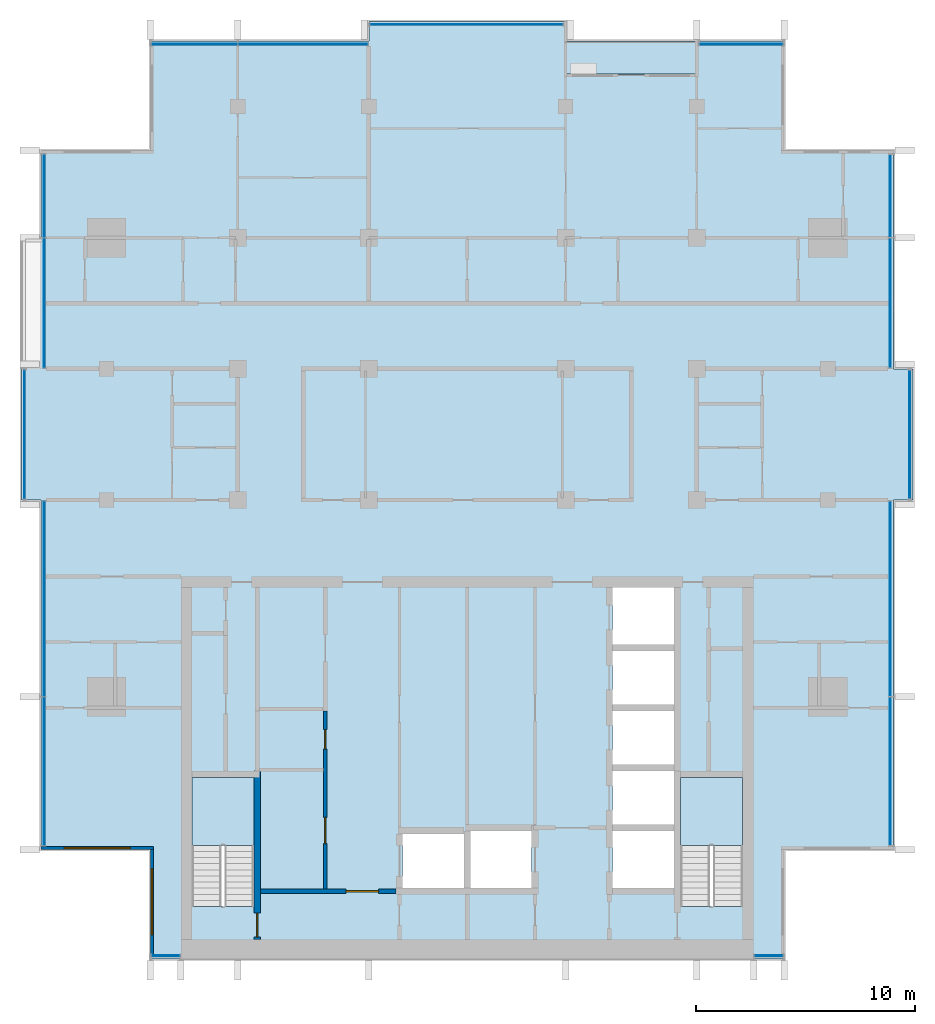
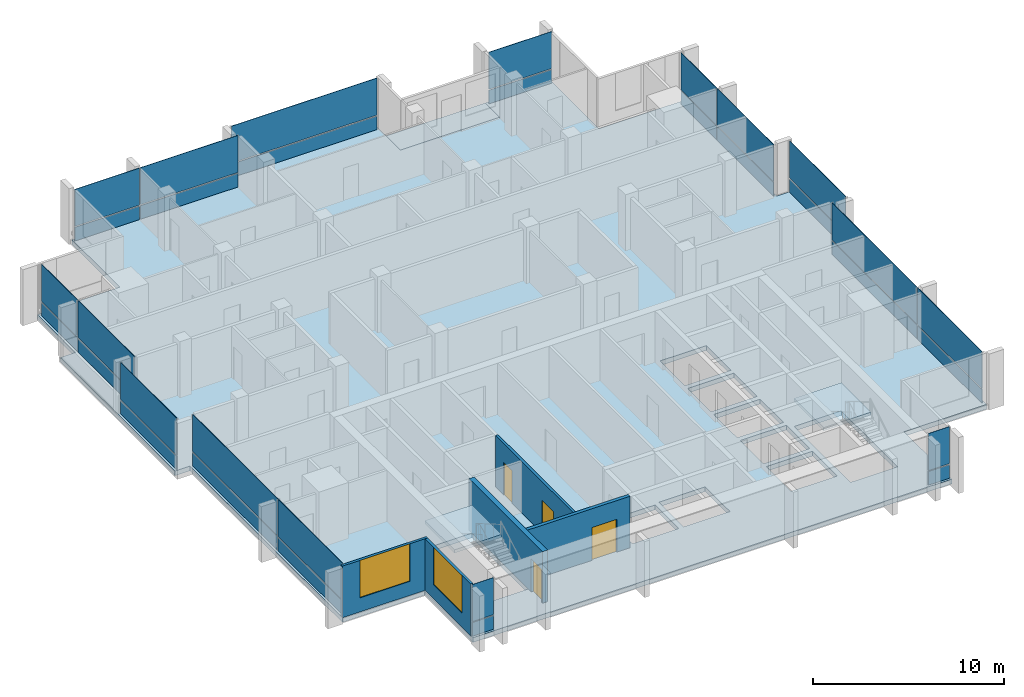
# One storey, part 6 of 16: 32 plates, 5 walls, 4 doors, 4 slabs, 2 windows, 6 openings, 13 elements without a shape of their own.
"""IFC4 building model written with IfcOpenShell, lengths in metres."""

from ifc_helpers import new_model, si_unit, direction, frame, frame_2d, origin, origin_2d, place, context, subcontext, project, spatial, polyline, rectangle, outline, extrude, material, layer, layer_set, type_object, element, fill, aggregate, save


model = new_model("IFC4")

# Units and contexts
model_context = context("Model", 3, precision=1e-05, world=origin(), true_north=direction((0.0, 1.0)))
body_context = subcontext(model_context, "Body", "Model", "MODEL_VIEW")
ifc_project = project(units=[si_unit("LENGTHUNIT", "METRE"), si_unit("AREAUNIT", "SQUARE_METRE"), si_unit("VOLUMEUNIT", "CUBIC_METRE"), si_unit("PLANEANGLEUNIT", "RADIAN"), si_unit("MASSUNIT", "GRAM", prefix="KILO")], contexts=[model_context])

# Site, building, storey
site_placement = place(None, origin())
site = spatial("IfcSite", under=ifc_project, at=site_placement, CompositionType="ELEMENT")
building_placement = place(site_placement, origin())
building = spatial("IfcBuilding", under=site, at=building_placement, Name="Finial Court Residences", CompositionType="ELEMENT")
storey_placement = place(building_placement, frame((0.0, 0.0, 284.300048828125)))
storey = spatial("IfcBuildingStorey", under=building, at=storey_placement, Name="L72", CompositionType="ELEMENT", Elevation=284.300048828125)

# Slab
ifc_material_1 = material(Name="Concrete C35/45", Category="concrete")
ifc_layer_1 = layer(ifc_material_1, 0.199951171875)
ifc_layer_set_1 = layer_set([ifc_layer_1], Name="Balcony slab, Concrete C35/45 200")
slab_type_1 = type_object("IfcSlabType", Name="Balcony slab, Concrete C35/45 200", PredefinedType="FLOOR", material=ifc_layer_set_1)
slab_1_placement = place(storey_placement, frame((0.0, 0.0, -0.199951171875)))
element("IfcSlab", 1, at=slab_1_placement, inside=storey, type_object=slab_type_1, Name="Balcony L72-N4", PredefinedType="FLOOR", context=body_context, shape_type="SweptSolid", body=[
    extrude(outline(polyline([(10.5, 15.0), (10.5, 16.5), (4.5, 16.5), (4.5, 15.0), (10.5, 15.0)])), origin(), (0.0, 0.0, 1.0), 0.199951171875),
])

# Curtain wall, plates
ifc_material_2 = material(Name="Bronze anodised aluminium", Category="aluminium")
curtain_wall_type = type_object("IfcCurtainWallType", Name="Unitised curtain wall, upper zones", PredefinedType="NOTDEFINED", material=ifc_material_2)
curtain_wall_1_placement = place(storey_placement, origin())
curtain_wall_1 = element("IfcCurtainWall", 2, at=curtain_wall_1_placement, inside=storey, type_object=curtain_wall_type, Name="E-L72-CW-N1", PredefinedType="NOTDEFINED")
ifc_layer_2 = layer(ifc_material_2, 0.035888671875)
ifc_layer_set_2 = layer_set([ifc_layer_2], Name="CW2 spandrel panel 36")
plate_type_1 = type_object("IfcPlateType", Name="CW2 spandrel panel 36", PredefinedType="CURTAIN_PANEL", material=ifc_layer_set_2)
plate_1_placement = place(storey_placement, frame((-12.485107421875, 16.35009765625, 0.0), z_axis=(0.0, 0.0, 1.0), x_axis=(1.0, 0.0, 0.0)))
plate_1 = element("IfcPlate", 3, at=plate_1_placement, type_object=plate_type_1, Name="CW2 spandrel 1.1", PredefinedType="CURTAIN_PANEL", context=body_context, shape_type="SweptSolid", body=[
    extrude(rectangle(XDim=3.909912109375, YDim=0.035888671875, at=origin_2d()), origin(), (0.0, 0.0, 1.0), 0.8701171875),
])
plate_2_placement = place(storey_placement, frame((-7.514892578125, 16.35009765625, 0.0), z_axis=(0.0, 0.0, 1.0), x_axis=(1.0, 0.0, 0.0)))
plate_2 = element("IfcPlate", 4, at=plate_2_placement, type_object=plate_type_1, Name="CW2 spandrel 2.1", PredefinedType="CURTAIN_PANEL", context=body_context, shape_type="SweptSolid", body=[
    extrude(rectangle(XDim=5.909912109375, YDim=0.035888671875, at=origin_2d()), origin(), (0.0, 0.0, 1.0), 0.8701171875),
])

# Curtain wall, plate
curtain_wall_2_placement = place(storey_placement, origin())
curtain_wall_2 = element("IfcCurtainWall", 5, at=curtain_wall_2_placement, inside=storey, type_object=curtain_wall_type, Name="E-L72-CW-N2", PredefinedType="NOTDEFINED")
plate_3_placement = place(storey_placement, frame((-0.03759765625, 17.25, 0.0), z_axis=(0.0, 0.0, 1.0), x_axis=(1.0, 0.0, 0.0)))
plate_3 = element("IfcPlate", 6, at=plate_3_placement, type_object=plate_type_1, Name="CW2 spandrel 1.1", PredefinedType="CURTAIN_PANEL", context=body_context, shape_type="SweptSolid", body=[
    extrude(rectangle(XDim=8.804931640625, YDim=0.035888671875, at=origin_2d()), origin(), (0.0, 0.0, 1.0), 0.8701171875),
])

curtain_wall_3_placement = place(storey_placement, origin())
curtain_wall_3 = element("IfcCurtainWall", 7, at=curtain_wall_3_placement, inside=storey, type_object=curtain_wall_type, Name="E-L72-CW-N3", PredefinedType="NOTDEFINED")
plate_4_placement = place(storey_placement, frame((12.53759765625, 16.35009765625, 0.0), z_axis=(0.0, 0.0, 1.0), x_axis=(1.0, 0.0, 0.0)))
plate_4 = element("IfcPlate", 8, at=plate_4_placement, type_object=plate_type_1, Name="CW2 spandrel 1.1", PredefinedType="CURTAIN_PANEL", context=body_context, shape_type="SweptSolid", body=[
    extrude(rectangle(XDim=3.804931640625, YDim=0.035888671875, at=origin_2d()), origin(), (0.0, 0.0, 1.0), 0.8701171875),
])

# Curtain wall, plates
curtain_wall_4_placement = place(storey_placement, origin())
curtain_wall_4 = element("IfcCurtainWall", 9, at=curtain_wall_4_placement, inside=storey, type_object=curtain_wall_type, Name="E-L72-CW-E4", PredefinedType="NOTDEFINED")
plate_5_placement = place(storey_placement, frame((19.35009765625, -16.909912109375, 0.0), z_axis=(0.0, 0.0, 1.0), x_axis=(0.0, 1.0, 0.0)))
plate_5 = element("IfcPlate", 10, at=plate_5_placement, type_object=plate_type_1, Name="CW2 spandrel 1.1", PredefinedType="CURTAIN_PANEL", context=body_context, shape_type="SweptSolid", body=[
    extrude(rectangle(XDim=6.760009765625, YDim=0.035888671875, at=origin_2d()), origin(), (0.0, 0.0, 1.0), 0.8701171875),
])
plate_6_placement = place(storey_placement, frame((19.35009765625, -9.014892578125, 0.0), z_axis=(0.0, 0.0, 1.0), x_axis=(0.0, 1.0, 0.0)))
plate_6 = element("IfcPlate", 11, at=plate_6_placement, type_object=plate_type_1, Name="CW2 spandrel 2.1", PredefinedType="CURTAIN_PANEL", context=body_context, shape_type="SweptSolid", body=[
    extrude(rectangle(XDim=8.909912109375, YDim=0.035888671875, at=origin_2d()), origin(), (0.0, 0.0, 1.0), 0.8701171875),
])

# Curtain wall, plate
curtain_wall_5_placement = place(storey_placement, origin())
curtain_wall_5 = element("IfcCurtainWall", 12, at=curtain_wall_5_placement, inside=storey, type_object=curtain_wall_type, Name="E-L72-CW-E5", PredefinedType="NOTDEFINED")
plate_7_placement = place(storey_placement, frame((20.25, -1.5, 0.0), z_axis=(0.0, 0.0, 1.0), x_axis=(0.0, 1.0, 0.0)))
plate_7 = element("IfcPlate", 13, at=plate_7_placement, type_object=plate_type_1, Name="CW2 spandrel 1.1", PredefinedType="CURTAIN_PANEL", context=body_context, shape_type="SweptSolid", body=[
    extrude(rectangle(XDim=5.8798828125, YDim=0.035888671875, at=origin_2d()), origin(), (0.0, 0.0, 1.0), 0.8701171875),
])

# Curtain wall, plates
curtain_wall_6_placement = place(storey_placement, origin())
curtain_wall_6 = element("IfcCurtainWall", 14, at=curtain_wall_6_placement, inside=storey, type_object=curtain_wall_type, Name="E-L72-CW-E6", PredefinedType="NOTDEFINED")
plate_8_placement = place(storey_placement, frame((19.35009765625, 4.514892578125, 0.0), z_axis=(0.0, 0.0, 1.0), x_axis=(0.0, 1.0, 0.0)))
plate_8 = element("IfcPlate", 15, at=plate_8_placement, type_object=plate_type_1, Name="CW2 spandrel 1.1", PredefinedType="CURTAIN_PANEL", context=body_context, shape_type="SweptSolid", body=[
    extrude(rectangle(XDim=5.909912109375, YDim=0.035888671875, at=origin_2d()), origin(), (0.0, 0.0, 1.0), 0.8701171875),
])
plate_9_placement = place(storey_placement, frame((19.35009765625, 9.409912109375, 0.0), z_axis=(0.0, 0.0, 1.0), x_axis=(0.0, 1.0, 0.0)))
plate_9 = element("IfcPlate", 16, at=plate_9_placement, type_object=plate_type_1, Name="CW2 spandrel 2.1", PredefinedType="CURTAIN_PANEL", context=body_context, shape_type="SweptSolid", body=[
    extrude(rectangle(XDim=3.760009765625, YDim=0.035888671875, at=origin_2d()), origin(), (0.0, 0.0, 1.0), 0.8701171875),
])

# Curtain wall, plate
curtain_wall_7_placement = place(storey_placement, origin())
curtain_wall_7 = element("IfcCurtainWall", 17, at=curtain_wall_7_placement, inside=storey, type_object=curtain_wall_type, Name="E-L72-CW-S7", PredefinedType="NOTDEFINED")
plate_10_placement = place(storey_placement, frame((-13.800048828125, -25.35009765625, 0.0), z_axis=(0.0, 0.0, 1.0), x_axis=(1.0, 0.0, 0.0)))
plate_10 = element("IfcPlate", 18, at=plate_10_placement, type_object=plate_type_1, Name="CW2 spandrel 1.1", PredefinedType="CURTAIN_PANEL", context=body_context, shape_type="SweptSolid", body=[
    extrude(rectangle(XDim=1.280029296875, YDim=0.035888671875, at=origin_2d()), origin(), (0.0, 0.0, 1.0), 0.8701171875),
])

curtain_wall_8_placement = place(storey_placement, origin())
curtain_wall_8 = element("IfcCurtainWall", 19, at=curtain_wall_8_placement, inside=storey, type_object=curtain_wall_type, Name="E-L72-CW-S8", PredefinedType="NOTDEFINED")
plate_11_placement = place(storey_placement, frame((13.800048828125, -25.35009765625, 0.0), z_axis=(0.0, 0.0, 1.0), x_axis=(1.0, 0.0, 0.0)))
plate_11 = element("IfcPlate", 20, at=plate_11_placement, type_object=plate_type_1, Name="CW2 spandrel 1.1", PredefinedType="CURTAIN_PANEL", context=body_context, shape_type="SweptSolid", body=[
    extrude(rectangle(XDim=1.280029296875, YDim=0.035888671875, at=origin_2d()), origin(), (0.0, 0.0, 1.0), 0.8701171875),
])

# Curtain wall, plates
curtain_wall_9_placement = place(storey_placement, origin())
curtain_wall_9 = element("IfcCurtainWall", 21, at=curtain_wall_9_placement, inside=storey, type_object=curtain_wall_type, Name="E-L72-CW-W9", PredefinedType="NOTDEFINED")
plate_12_placement = place(storey_placement, frame((-19.35009765625, -16.909912109375, 0.0), z_axis=(0.0, 0.0, 1.0), x_axis=(0.0, 1.0, 0.0)))
plate_12 = element("IfcPlate", 22, at=plate_12_placement, type_object=plate_type_1, Name="CW2 spandrel 1.1", PredefinedType="CURTAIN_PANEL", context=body_context, shape_type="SweptSolid", body=[
    extrude(rectangle(XDim=6.760009765625, YDim=0.035888671875, at=origin_2d()), origin(), (0.0, 0.0, 1.0), 0.8701171875),
])
plate_13_placement = place(storey_placement, frame((-19.35009765625, -9.014892578125, 0.0), z_axis=(0.0, 0.0, 1.0), x_axis=(0.0, 1.0, 0.0)))
plate_13 = element("IfcPlate", 23, at=plate_13_placement, type_object=plate_type_1, Name="CW2 spandrel 2.1", PredefinedType="CURTAIN_PANEL", context=body_context, shape_type="SweptSolid", body=[
    extrude(rectangle(XDim=8.909912109375, YDim=0.035888671875, at=origin_2d()), origin(), (0.0, 0.0, 1.0), 0.8701171875),
])

# Curtain wall, plate
curtain_wall_10_placement = place(storey_placement, origin())
curtain_wall_10 = element("IfcCurtainWall", 24, at=curtain_wall_10_placement, inside=storey, type_object=curtain_wall_type, Name="E-L72-CW-W10", PredefinedType="NOTDEFINED")
plate_14_placement = place(storey_placement, frame((-20.25, -1.5, 0.0), z_axis=(0.0, 0.0, 1.0), x_axis=(0.0, 1.0, 0.0)))
plate_14 = element("IfcPlate", 25, at=plate_14_placement, type_object=plate_type_1, Name="CW2 spandrel 1.1", PredefinedType="CURTAIN_PANEL", context=body_context, shape_type="SweptSolid", body=[
    extrude(rectangle(XDim=5.8798828125, YDim=0.035888671875, at=origin_2d()), origin(), (0.0, 0.0, 1.0), 0.8701171875),
])

# Curtain wall, plates
curtain_wall_11_placement = place(storey_placement, origin())
curtain_wall_11 = element("IfcCurtainWall", 26, at=curtain_wall_11_placement, inside=storey, type_object=curtain_wall_type, Name="E-L72-CW-W11", PredefinedType="NOTDEFINED")
plate_15_placement = place(storey_placement, frame((-19.35009765625, 4.514892578125, 0.0), z_axis=(0.0, 0.0, 1.0), x_axis=(0.0, 1.0, 0.0)))
plate_15 = element("IfcPlate", 27, at=plate_15_placement, type_object=plate_type_1, Name="CW2 spandrel 1.1", PredefinedType="CURTAIN_PANEL", context=body_context, shape_type="SweptSolid", body=[
    extrude(rectangle(XDim=5.909912109375, YDim=0.035888671875, at=origin_2d()), origin(), (0.0, 0.0, 1.0), 0.8701171875),
])
plate_16_placement = place(storey_placement, frame((-19.35009765625, 9.409912109375, 0.0), z_axis=(0.0, 0.0, 1.0), x_axis=(0.0, 1.0, 0.0)))
plate_16 = element("IfcPlate", 28, at=plate_16_placement, type_object=plate_type_1, Name="CW2 spandrel 2.1", PredefinedType="CURTAIN_PANEL", context=body_context, shape_type="SweptSolid", body=[
    extrude(rectangle(XDim=3.760009765625, YDim=0.035888671875, at=origin_2d()), origin(), (0.0, 0.0, 1.0), 0.8701171875),
])

# Plate
ifc_material_3 = material(Name="Clear low-e glass", Category="glass")
ifc_layer_3 = layer(ifc_material_3, 0.030029296875)
ifc_layer_set_3 = layer_set([ifc_layer_3], Name="CW2 vision glass 30")
plate_type_2 = type_object("IfcPlateType", Name="CW2 vision glass 30", PredefinedType="CURTAIN_PANEL", material=ifc_layer_set_3)
plate_17_placement = place(storey_placement, frame((-12.485107421875, 16.35009765625, 0.929931640625), z_axis=(0.0, 0.0, 1.0), x_axis=(1.0, 0.0, 0.0)))
plate_17 = element("IfcPlate", 29, at=plate_17_placement, type_object=plate_type_2, Name="CW2 glass 1.2", PredefinedType="CURTAIN_PANEL", context=body_context, shape_type="SweptSolid", body=[
    extrude(rectangle(XDim=3.909912109375, YDim=0.030029296875, at=origin_2d()), origin(), (0.0, 0.0, 1.0), 2.3701171875),
])

plate_18_placement = place(storey_placement, frame((-7.514892578125, 16.35009765625, 0.929931640625), z_axis=(0.0, 0.0, 1.0), x_axis=(1.0, 0.0, 0.0)))
plate_18 = element("IfcPlate", 30, at=plate_18_placement, type_object=plate_type_2, Name="CW2 glass 2.2", PredefinedType="CURTAIN_PANEL", context=body_context, shape_type="SweptSolid", body=[
    extrude(rectangle(XDim=5.909912109375, YDim=0.030029296875, at=origin_2d()), origin(), (0.0, 0.0, 1.0), 2.3701171875),
])

aggregate(curtain_wall_1, [plate_1, plate_17, plate_2, plate_18])

plate_19_placement = place(storey_placement, frame((-0.03759765625, 17.25, 0.929931640625), z_axis=(0.0, 0.0, 1.0), x_axis=(1.0, 0.0, 0.0)))
plate_19 = element("IfcPlate", 31, at=plate_19_placement, type_object=plate_type_2, Name="CW2 glass 1.2", PredefinedType="CURTAIN_PANEL", context=body_context, shape_type="SweptSolid", body=[
    extrude(rectangle(XDim=8.804931640625, YDim=0.030029296875, at=origin_2d()), origin(), (0.0, 0.0, 1.0), 2.3701171875),
])

aggregate(curtain_wall_2, [plate_3, plate_19])

plate_20_placement = place(storey_placement, frame((12.53759765625, 16.35009765625, 0.929931640625), z_axis=(0.0, 0.0, 1.0), x_axis=(1.0, 0.0, 0.0)))
plate_20 = element("IfcPlate", 32, at=plate_20_placement, type_object=plate_type_2, Name="CW2 glass 1.2", PredefinedType="CURTAIN_PANEL", context=body_context, shape_type="SweptSolid", body=[
    extrude(rectangle(XDim=3.804931640625, YDim=0.030029296875, at=origin_2d()), origin(), (0.0, 0.0, 1.0), 2.3701171875),
])

aggregate(curtain_wall_3, [plate_4, plate_20])

plate_21_placement = place(storey_placement, frame((19.35009765625, -16.909912109375, 0.929931640625), z_axis=(0.0, 0.0, 1.0), x_axis=(0.0, 1.0, 0.0)))
plate_21 = element("IfcPlate", 33, at=plate_21_placement, type_object=plate_type_2, Name="CW2 glass 1.2", PredefinedType="CURTAIN_PANEL", context=body_context, shape_type="SweptSolid", body=[
    extrude(rectangle(XDim=6.760009765625, YDim=0.030029296875, at=origin_2d()), origin(), (0.0, 0.0, 1.0), 2.3701171875),
])

plate_22_placement = place(storey_placement, frame((19.35009765625, -9.014892578125, 0.929931640625), z_axis=(0.0, 0.0, 1.0), x_axis=(0.0, 1.0, 0.0)))
plate_22 = element("IfcPlate", 34, at=plate_22_placement, type_object=plate_type_2, Name="CW2 glass 2.2", PredefinedType="CURTAIN_PANEL", context=body_context, shape_type="SweptSolid", body=[
    extrude(rectangle(XDim=8.909912109375, YDim=0.030029296875, at=origin_2d()), origin(), (0.0, 0.0, 1.0), 2.3701171875),
])

aggregate(curtain_wall_4, [plate_5, plate_21, plate_6, plate_22])

plate_23_placement = place(storey_placement, frame((20.25, -1.5, 0.929931640625), z_axis=(0.0, 0.0, 1.0), x_axis=(0.0, 1.0, 0.0)))
plate_23 = element("IfcPlate", 35, at=plate_23_placement, type_object=plate_type_2, Name="CW2 glass 1.2", PredefinedType="CURTAIN_PANEL", context=body_context, shape_type="SweptSolid", body=[
    extrude(rectangle(XDim=5.8798828125, YDim=0.030029296875, at=origin_2d()), origin(), (0.0, 0.0, 1.0), 2.3701171875),
])

aggregate(curtain_wall_5, [plate_7, plate_23])

plate_24_placement = place(storey_placement, frame((19.35009765625, 4.514892578125, 0.929931640625), z_axis=(0.0, 0.0, 1.0), x_axis=(0.0, 1.0, 0.0)))
plate_24 = element("IfcPlate", 36, at=plate_24_placement, type_object=plate_type_2, Name="CW2 glass 1.2", PredefinedType="CURTAIN_PANEL", context=body_context, shape_type="SweptSolid", body=[
    extrude(rectangle(XDim=5.909912109375, YDim=0.030029296875, at=origin_2d()), origin(), (0.0, 0.0, 1.0), 2.3701171875),
])

plate_25_placement = place(storey_placement, frame((19.35009765625, 9.409912109375, 0.929931640625), z_axis=(0.0, 0.0, 1.0), x_axis=(0.0, 1.0, 0.0)))
plate_25 = element("IfcPlate", 37, at=plate_25_placement, type_object=plate_type_2, Name="CW2 glass 2.2", PredefinedType="CURTAIN_PANEL", context=body_context, shape_type="SweptSolid", body=[
    extrude(rectangle(XDim=3.760009765625, YDim=0.030029296875, at=origin_2d()), origin(), (0.0, 0.0, 1.0), 2.3701171875),
])

aggregate(curtain_wall_6, [plate_8, plate_24, plate_9, plate_25])

plate_26_placement = place(storey_placement, frame((-13.800048828125, -25.35009765625, 0.929931640625), z_axis=(0.0, 0.0, 1.0), x_axis=(1.0, 0.0, 0.0)))
plate_26 = element("IfcPlate", 38, at=plate_26_placement, type_object=plate_type_2, Name="CW2 glass 1.2", PredefinedType="CURTAIN_PANEL", context=body_context, shape_type="SweptSolid", body=[
    extrude(rectangle(XDim=1.280029296875, YDim=0.030029296875, at=origin_2d()), origin(), (0.0, 0.0, 1.0), 2.3701171875),
])

aggregate(curtain_wall_7, [plate_10, plate_26])

plate_27_placement = place(storey_placement, frame((13.800048828125, -25.35009765625, 0.929931640625), z_axis=(0.0, 0.0, 1.0), x_axis=(1.0, 0.0, 0.0)))
plate_27 = element("IfcPlate", 39, at=plate_27_placement, type_object=plate_type_2, Name="CW2 glass 1.2", PredefinedType="CURTAIN_PANEL", context=body_context, shape_type="SweptSolid", body=[
    extrude(rectangle(XDim=1.280029296875, YDim=0.030029296875, at=origin_2d()), origin(), (0.0, 0.0, 1.0), 2.3701171875),
])

aggregate(curtain_wall_8, [plate_11, plate_27])

plate_28_placement = place(storey_placement, frame((-19.35009765625, -16.909912109375, 0.929931640625), z_axis=(0.0, 0.0, 1.0), x_axis=(0.0, 1.0, 0.0)))
plate_28 = element("IfcPlate", 40, at=plate_28_placement, type_object=plate_type_2, Name="CW2 glass 1.2", PredefinedType="CURTAIN_PANEL", context=body_context, shape_type="SweptSolid", body=[
    extrude(rectangle(XDim=6.760009765625, YDim=0.030029296875, at=origin_2d()), origin(), (0.0, 0.0, 1.0), 2.3701171875),
])

plate_29_placement = place(storey_placement, frame((-19.35009765625, -9.014892578125, 0.929931640625), z_axis=(0.0, 0.0, 1.0), x_axis=(0.0, 1.0, 0.0)))
plate_29 = element("IfcPlate", 41, at=plate_29_placement, type_object=plate_type_2, Name="CW2 glass 2.2", PredefinedType="CURTAIN_PANEL", context=body_context, shape_type="SweptSolid", body=[
    extrude(rectangle(XDim=8.909912109375, YDim=0.030029296875, at=origin_2d()), origin(), (0.0, 0.0, 1.0), 2.3701171875),
])

aggregate(curtain_wall_9, [plate_12, plate_28, plate_13, plate_29])

plate_30_placement = place(storey_placement, frame((-20.25, -1.5, 0.929931640625), z_axis=(0.0, 0.0, 1.0), x_axis=(0.0, 1.0, 0.0)))
plate_30 = element("IfcPlate", 42, at=plate_30_placement, type_object=plate_type_2, Name="CW2 glass 1.2", PredefinedType="CURTAIN_PANEL", context=body_context, shape_type="SweptSolid", body=[
    extrude(rectangle(XDim=5.8798828125, YDim=0.030029296875, at=origin_2d()), origin(), (0.0, 0.0, 1.0), 2.3701171875),
])

aggregate(curtain_wall_10, [plate_14, plate_30])

plate_31_placement = place(storey_placement, frame((-19.35009765625, 4.514892578125, 0.929931640625), z_axis=(0.0, 0.0, 1.0), x_axis=(0.0, 1.0, 0.0)))
plate_31 = element("IfcPlate", 43, at=plate_31_placement, type_object=plate_type_2, Name="CW2 glass 1.2", PredefinedType="CURTAIN_PANEL", context=body_context, shape_type="SweptSolid", body=[
    extrude(rectangle(XDim=5.909912109375, YDim=0.030029296875, at=origin_2d()), origin(), (0.0, 0.0, 1.0), 2.3701171875),
])

plate_32_placement = place(storey_placement, frame((-19.35009765625, 9.409912109375, 0.929931640625), z_axis=(0.0, 0.0, 1.0), x_axis=(0.0, 1.0, 0.0)))
plate_32 = element("IfcPlate", 44, at=plate_32_placement, type_object=plate_type_2, Name="CW2 glass 2.2", PredefinedType="CURTAIN_PANEL", context=body_context, shape_type="SweptSolid", body=[
    extrude(rectangle(XDim=3.760009765625, YDim=0.030029296875, at=origin_2d()), origin(), (0.0, 0.0, 1.0), 2.3701171875),
])

aggregate(curtain_wall_11, [plate_15, plate_31, plate_16, plate_32])

# Stair, slab
ifc_material_4 = material(Name="Concrete C50/60", Category="concrete")
stair_type = type_object("IfcStairType", Name="Exit stair 22 risers of 163.6 mm", PredefinedType="HALF_TURN_STAIR", material=ifc_material_4)
stair_1_placement = place(storey_placement, origin())
stair_1 = element("IfcStair", 45, at=stair_1_placement, inside=storey, type_object=stair_type, Name="L72 Exit stair ST-1", PredefinedType="HALF_TURN_STAIR")
ifc_layer_4 = layer(ifc_material_4, 0.199951171875)
ifc_layer_set_4 = layer_set([ifc_layer_4], Name="Exit stair landing")
slab_type_2 = type_object("IfcSlabType", Name="Exit stair landing", PredefinedType="LANDING", material=ifc_layer_set_4)
slab_2_placement = place(storey_placement, frame((0.0, 0.0, 1.599853515625)))
slab_2 = element("IfcSlab", 46, at=slab_2_placement, type_object=slab_type_2, Name="ST-1 landing 1", PredefinedType="LANDING", context=body_context, shape_type="SweptSolid", body=[
    extrude(outline(polyline([(-9.75, -20.300048828125), (-9.75, -17.199951171875), (-12.60009765625, -17.199951171875), (-12.60009765625, -20.300048828125), (-9.75, -20.300048828125)])), origin(), (0.0, 0.0, 1.0), 0.2001953125),
])
aggregate(stair_1, [slab_2])

stair_2_placement = place(storey_placement, origin())
stair_2 = element("IfcStair", 47, at=stair_2_placement, inside=storey, type_object=stair_type, Name="L72 Exit stair ST-2", PredefinedType="HALF_TURN_STAIR")
slab_3_placement = place(storey_placement, frame((0.0, 0.0, 1.599853515625)))
slab_3 = element("IfcSlab", 48, at=slab_3_placement, type_object=slab_type_2, Name="ST-2 landing 1", PredefinedType="LANDING", context=body_context, shape_type="SweptSolid", body=[
    extrude(outline(polyline([(12.60009765625, -20.300048828125), (12.60009765625, -17.199951171875), (9.75, -17.199951171875), (9.75, -20.300048828125), (12.60009765625, -20.300048828125)])), origin(), (0.0, 0.0, 1.0), 0.2001953125),
])
aggregate(stair_2, [slab_3])

# Slab
ifc_material_5 = material(Name="Concrete C40/50", Category="concrete")
ifc_layer_5 = layer(ifc_material_5, 0.300048828125)
ifc_layer_set_5 = layer_set([ifc_layer_5], Name="Flat plate slab 300 Concrete C40/50")
slab_type_3 = type_object("IfcSlabType", Name="Flat plate slab 300 Concrete C40/50", PredefinedType="FLOOR", material=ifc_layer_set_5)
slab_4_placement = place(storey_placement, frame((0.0, 0.0, -0.300048828125)))
element("IfcSlab", 49, at=slab_4_placement, inside=storey, type_object=slab_type_3, Name="S:SLAB:L72", PredefinedType="FLOOR", context=body_context, shape_type="SweptSolid", body=[
    extrude(outline(polyline([(-20.39990234375, -4.5), (-20.39990234375, 1.5), (-20.39990234375, 7.5), (-19.5, 7.5), (-19.5, 11.5), (-14.5, 11.5), (-14.5, 16.5), (-4.5, 16.5), (-4.5, 17.39990234375), (4.5, 17.39990234375), (4.5, 16.5), (4.5, 15.0), (10.5, 15.0), (10.5, 16.5), (14.5, 16.5), (14.5, 11.5), (19.5, 11.5), (19.5, 1.5), (20.39990234375, 1.5), (20.39990234375, -4.5), (19.5, -4.5), (19.5, -20.5), (14.5, -20.5), (14.5, -25.5), (-14.5, -25.5), (-14.5, -20.5), (-19.5, -20.5), (-19.5, -4.5), (-20.39990234375, -4.5)]), holes=[polyline([(-0.14990234375, -19.77001953125), (-2.949951171875, -19.77001953125), (-2.949951171875, -22.25), (-0.14990234375, -22.25), (-0.14990234375, -19.77001953125)]), polyline([(2.949951171875, -19.64990234375), (0.14990234375, -19.64990234375), (0.14990234375, -22.25), (2.949951171875, -22.25), (2.949951171875, -19.64990234375)]), polyline([(9.449951171875, -19.64990234375), (6.64990234375, -19.64990234375), (6.64990234375, -22.25), (9.449951171875, -22.25), (9.449951171875, -19.64990234375)]), polyline([(-12.60009765625, -17.199951171875), (-12.60009765625, -23.09912109375), (-9.75, -23.09912109375), (-9.75, -17.199951171875), (-12.60009765625, -17.199951171875)]), polyline([(9.75, -17.199951171875), (9.75, -23.09912109375), (12.60009765625, -23.09912109375), (12.60009765625, -17.199951171875), (9.75, -17.199951171875)]), polyline([(9.449951171875, -16.89990234375), (6.64990234375, -16.89990234375), (6.64990234375, -19.35009765625), (9.449951171875, -19.35009765625), (9.449951171875, -16.89990234375)]), polyline([(9.449951171875, -14.14990234375), (6.64990234375, -14.14990234375), (6.64990234375, -16.60009765625), (9.449951171875, -16.60009765625), (9.449951171875, -14.14990234375)]), polyline([(9.449951171875, -13.85009765625), (9.449951171875, -11.39990234375), (6.64990234375, -11.39990234375), (6.64990234375, -13.85009765625), (9.449951171875, -13.85009765625)]), polyline([(9.449951171875, -11.10009765625), (9.449951171875, -8.5), (6.64990234375, -8.5), (6.64990234375, -11.10009765625), (9.449951171875, -11.10009765625)])]), origin(), (0.0, 0.0, 1.0), 0.300048828125),
])

# Wall, openings, doors
ifc_material_6 = material(Name="Fire-rated gypsum board partition")
ifc_layer_6 = layer(ifc_material_6, 0.14990234375)
ifc_layer_set_6 = layer_set([ifc_layer_6], Name="Core room partition 150 EI 60")
wall_type_1 = type_object("IfcWallType", Name="Core room partition 150 EI 60", PredefinedType="PARTITIONING", material=ifc_layer_set_6)
wall_1_placement = place(storey_placement, frame((-6.5, -22.300048828125, 0.0), z_axis=(0.0, 0.0, 1.0), x_axis=(0.0, 1.0, 0.0)))
wall_1 = element("IfcWall", 50, at=wall_1_placement, inside=storey, type_object=wall_type_1, Name="Core partition L72-22", PredefinedType="PARTITIONING", context=body_context, shape_type="SweptSolid", body=[
    extrude(rectangle(XDim=8.14013671875, YDim=0.14990234375, at=frame_2d((4.070068359375, 0.0))), origin(), (0.0, 0.0, 1.0), 3.300048828125),
])
opening_1_placement = place(wall_1_placement, frame((2.080078125, 0.0, 0.0)))
opening_1 = element("IfcOpeningElement", 51, at=opening_1_placement, cuts=wall_1, Name="Opening L72-C15", PredefinedType="OPENING", context=body_context, shape_type="SweptSolid", body=[
    extrude(rectangle(XDim=1.199951171875, YDim=2.10009765625, at=frame_2d((0.60009765625, 1.050048828125))), frame((0.0, 0.0849609375, 0.0), z_axis=(0.0, -1.0, 0.0), x_axis=(1.0, 0.0, 0.0)), (0.0, 0.0, 1.0), 0.169921875),
])
opening_2_placement = place(wall_1_placement, frame((6.39990234375, 0.0, 0.0)))
opening_2 = element("IfcOpeningElement", 52, at=opening_2_placement, cuts=wall_1, Name="Opening L72-C16", PredefinedType="OPENING", context=body_context, shape_type="SweptSolid", body=[
    extrude(rectangle(XDim=0.89990234375, YDim=2.10009765625, at=frame_2d((0.449951171875, 1.050048828125))), frame((0.0, 0.0849609375, 0.0), z_axis=(0.0, -1.0, 0.0), x_axis=(1.0, 0.0, 0.0)), (0.0, 0.0, 1.0), 0.169921875),
])
ifc_material_7 = material(Name="Steel fire door", Category="steel")
door_type_1 = type_object("IfcDoorType", Name="Core room door 1200 x 2100 EI 60", OperationType="NOTDEFINED", PredefinedType="DOOR", material=ifc_material_7)
door_1_placement = place(opening_1_placement, origin())
door_1 = element("IfcDoor", 53, at=door_1_placement, inside=storey, type_object=door_type_1, Name="Core room door L72-C15", OperationType="SINGLE_SWING_LEFT", OverallHeight=2.10009765625, OverallWidth=1.199951171875, PredefinedType="DOOR", context=body_context, shape_type="SweptSolid", body=[
    extrude(rectangle(XDim=1.199951171875, YDim=2.10009765625, at=frame_2d((0.60009765625, 1.050048828125))), frame((0.0, 0.02490234375, 0.0), z_axis=(0.0, -1.0, 0.0), x_axis=(1.0, 0.0, 0.0)), (0.0, 0.0, 1.0), 0.050048828125),
])
fill(opening_1, door_1)
door_type_2 = type_object("IfcDoorType", Name="Core room door 900 x 2100 EI 60", OperationType="NOTDEFINED", PredefinedType="DOOR", material=ifc_material_7)
door_2_placement = place(opening_2_placement, origin())
door_2 = element("IfcDoor", 54, at=door_2_placement, inside=storey, type_object=door_type_2, Name="Core room door L72-C16", OperationType="SINGLE_SWING_RIGHT", OverallHeight=2.10009765625, OverallWidth=0.89990234375, PredefinedType="DOOR", context=body_context, shape_type="SweptSolid", body=[
    extrude(rectangle(XDim=0.89990234375, YDim=2.10009765625, at=frame_2d((0.449951171875, 1.050048828125))), frame((0.0, 0.02490234375, 0.0), z_axis=(0.0, -1.0, 0.0), x_axis=(1.0, 0.0, 0.0)), (0.0, 0.0, 1.0), 0.050048828125),
])
fill(opening_2, door_2)

# Wall, opening, door
ifc_layer_7 = layer(ifc_material_4, 0.300048828125)
ifc_layer_set_7 = layer_set([ifc_layer_7], Name="Lift shaft and stair wall 300 Concrete C50/60")
wall_type_2 = type_object("IfcWallType", Name="Lift shaft and stair wall 300 Concrete C50/60", PredefinedType="SHEAR", material=ifc_layer_set_7)
wall_2_placement = place(storey_placement, frame((-9.60009765625, -24.60009765625, 0.0), z_axis=(0.0, 0.0, 1.0), x_axis=(0.0, 1.0, 0.0)))
wall_2 = element("IfcWall", 55, at=wall_2_placement, inside=storey, type_object=wall_type_2, Name="Core wall L72-19", PredefinedType="SHEAR", context=body_context, shape_type="SweptSolid", body=[
    extrude(rectangle(XDim=7.7001953125, YDim=0.300048828125, at=frame_2d((3.85009765625, 0.0))), origin(), (0.0, 0.0, 1.0), 3.300048828125),
])
opening_3_placement = place(wall_2_placement, frame((0.10009765625, 0.0, 0.0)))
opening_3 = element("IfcOpeningElement", 56, at=opening_3_placement, cuts=wall_2, Name="Opening L72-C19", PredefinedType="OPENING", context=body_context, shape_type="SweptSolid", body=[
    extrude(rectangle(XDim=1.10009765625, YDim=2.10009765625, at=frame_2d((0.550048828125, 1.050048828125))), frame((0.0, 0.159912109375, 0.0), z_axis=(0.0, -1.0, 0.0), x_axis=(1.0, 0.0, 0.0)), (0.0, 0.0, 1.0), 0.320068359375),
])
door_type_3 = type_object("IfcDoorType", Name="Stair door 1100 x 2100 EI 90", OperationType="NOTDEFINED", PredefinedType="DOOR", material=ifc_material_7)
door_3_placement = place(opening_3_placement, origin())
door_3 = element("IfcDoor", 57, at=door_3_placement, inside=storey, type_object=door_type_3, Name="Stair door L72-C19", OperationType="SINGLE_SWING_LEFT", OverallHeight=2.10009765625, OverallWidth=1.10009765625, PredefinedType="DOOR", context=body_context, shape_type="SweptSolid", body=[
    extrude(rectangle(XDim=1.10009765625, YDim=2.10009765625, at=frame_2d((0.550048828125, 1.050048828125))), frame((0.0, 0.02490234375, 0.0), z_axis=(0.0, -1.0, 0.0), x_axis=(1.0, 0.0, 0.0)), (0.0, 0.0, 1.0), 0.050048828125),
])
fill(opening_3, door_3)

# Wall, opening, window
ifc_material_8 = material(Name="Natural limestone", Category="masonry")
ifc_layer_8 = layer(ifc_material_8, 0.14990234375)
ifc_layer_set_8 = layer_set([ifc_layer_8], Name="Limestone clad wall 150")
wall_type_3 = type_object("IfcWallType", Name="Limestone clad wall 150", PredefinedType="SOLIDWALL", material=ifc_layer_set_8)
wall_3_placement = place(storey_placement, frame((-14.425048828125, -25.262451171875, 0.0), z_axis=(0.0, 0.0, 1.0), x_axis=(0.0, 1.0, 0.0)))
wall_3 = element("IfcWall", 58, at=wall_3_placement, inside=storey, type_object=wall_type_3, Name="E-L72-NWW12", PredefinedType="SOLIDWALL", context=body_context, shape_type="SweptSolid", body=[
    extrude(rectangle(XDim=4.762451171875, YDim=0.14990234375, at=frame_2d((2.38134765625, 0.0))), origin(), (0.0, 0.0, 1.0), 3.300048828125),
])
opening_4_placement = place(wall_3_placement, frame((0.881103515625, 0.0, 0.89990234375)))
opening_4 = element("IfcOpeningElement", 59, at=opening_4_placement, cuts=wall_3, Name="Opening WE72-01", PredefinedType="OPENING", context=body_context, shape_type="SweptSolid", body=[
    extrude(rectangle(XDim=3.0, YDim=2.39990234375, at=frame_2d((1.5, 1.199951171875))), frame((0.0, 0.0849609375, 0.0), z_axis=(0.0, -1.0, 0.0), x_axis=(1.0, 0.0, 0.0)), (0.0, 0.0, 1.0), 0.169921875),
])
window_type = type_object("IfcWindowType", Name="Corner window 3000 x 2400", PartitioningType="SINGLE_PANEL", PredefinedType="WINDOW", material=ifc_material_3)
window_1_placement = place(opening_4_placement, origin())
window_1 = element("IfcWindow", 60, at=window_1_placement, inside=storey, type_object=window_type, Name="E-L72-NWW12-W1", OverallHeight=2.39990234375, OverallWidth=3.0, PartitioningType="SINGLE_PANEL", PredefinedType="WINDOW", context=body_context, shape_type="SweptSolid", body=[
    extrude(rectangle(XDim=3.0, YDim=2.39990234375, at=frame_2d((1.5, 1.199951171875))), frame((0.0, 0.030029296875, 0.0), z_axis=(0.0, -1.0, 0.0), x_axis=(1.0, 0.0, 0.0)), (0.0, 0.0, 1.0), 0.06005859375),
])
fill(opening_4, window_1)

wall_4_placement = place(storey_placement, frame((-14.35009765625, -20.425048828125, 0.0), z_axis=(0.0, 0.0, 1.0), x_axis=(-1.0, 0.0, 0.0)))
wall_4 = element("IfcWall", 61, at=wall_4_placement, inside=storey, type_object=wall_type_3, Name="E-L72-NWS13", PredefinedType="SOLIDWALL", context=body_context, shape_type="SweptSolid", body=[
    extrude(rectangle(XDim=5.14990234375, YDim=0.14990234375, at=frame_2d((2.574951171875, 0.0))), origin(), (0.0, 0.0, 1.0), 3.300048828125),
])
opening_5_placement = place(wall_4_placement, frame((1.074951171875, 0.0, 0.89990234375)))
opening_5 = element("IfcOpeningElement", 62, at=opening_5_placement, cuts=wall_4, Name="Opening WE72-02", PredefinedType="OPENING", context=body_context, shape_type="SweptSolid", body=[
    extrude(rectangle(XDim=3.0, YDim=2.39990234375, at=frame_2d((1.5, 1.199951171875))), frame((0.0, 0.0849609375, 0.0), z_axis=(0.0, -1.0, 0.0), x_axis=(1.0, 0.0, 0.0)), (0.0, 0.0, 1.0), 0.169921875),
])
window_2_placement = place(opening_5_placement, origin())
window_2 = element("IfcWindow", 63, at=window_2_placement, inside=storey, type_object=window_type, Name="E-L72-NWS13-W1", OverallHeight=2.39990234375, OverallWidth=3.0, PartitioningType="SINGLE_PANEL", PredefinedType="WINDOW", context=body_context, shape_type="SweptSolid", body=[
    extrude(rectangle(XDim=3.0, YDim=2.39990234375, at=frame_2d((1.5, 1.199951171875))), frame((0.0, 0.030029296875, 0.0), z_axis=(0.0, -1.0, 0.0), x_axis=(1.0, 0.0, 0.0)), (0.0, 0.0, 1.0), 0.06005859375),
])
fill(opening_5, window_2)

# Wall, opening, door
ifc_layer_9 = layer(ifc_material_6, 0.199951171875)
ifc_layer_set_9 = layer_set([ifc_layer_9], Name="Stair passage wall 200 EI 180")
wall_type_4 = type_object("IfcWallType", Name="Stair passage wall 200 EI 180", PredefinedType="PARTITIONING", material=ifc_layer_set_9)
wall_5_placement = place(storey_placement, frame((-3.25, -22.39990234375, 0.0), z_axis=(0.0, 0.0, 1.0), x_axis=(-1.0, 0.0, 0.0)))
wall_5 = element("IfcWall", 64, at=wall_5_placement, inside=storey, type_object=wall_type_4, Name="Core partition L72-01", PredefinedType="PARTITIONING", context=body_context, shape_type="SweptSolid", body=[
    extrude(rectangle(XDim=6.199951171875, YDim=0.199951171875, at=frame_2d((3.10009765625, 0.0))), origin(), (0.0, 0.0, 1.0), 3.300048828125),
])
opening_6_placement = place(wall_5_placement, frame((0.800048828125, 0.0, 0.0)))
opening_6 = element("IfcOpeningElement", 65, at=opening_6_placement, cuts=wall_5, Name="Opening L72-C03", PredefinedType="OPENING", context=body_context, shape_type="SweptSolid", body=[
    extrude(rectangle(XDim=1.5, YDim=2.10009765625, at=frame_2d((0.75, 1.050048828125))), frame((0.0, 0.10986328125, 0.0), z_axis=(0.0, -1.0, 0.0), x_axis=(1.0, 0.0, 0.0)), (0.0, 0.0, 1.0), 0.219970703125),
])
door_type_4 = type_object("IfcDoorType", Name="Lift lobby door 1500 x 2100 EI 60", OperationType="DOUBLE_DOOR_SINGLE_SWING", PredefinedType="DOOR", material=ifc_material_7)
door_4_placement = place(opening_6_placement, origin())
door_4 = element("IfcDoor", 66, at=door_4_placement, inside=storey, type_object=door_type_4, Name="Lift lobby door L72-C03", OperationType="DOUBLE_DOOR_SINGLE_SWING", OverallHeight=2.10009765625, OverallWidth=1.5, PredefinedType="DOOR", context=body_context, shape_type="SweptSolid", body=[
    extrude(rectangle(XDim=1.5, YDim=2.10009765625, at=frame_2d((0.75, 1.050048828125))), frame((0.0, 0.02490234375, 0.0), z_axis=(0.0, -1.0, 0.0), x_axis=(1.0, 0.0, 0.0)), (0.0, 0.0, 1.0), 0.050048828125),
])
fill(opening_6, door_4)

save(model, "model.ifc")
